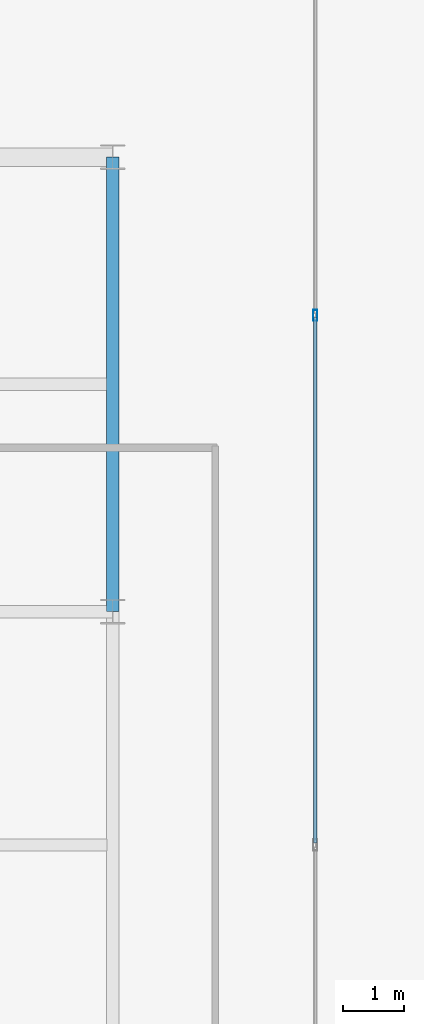
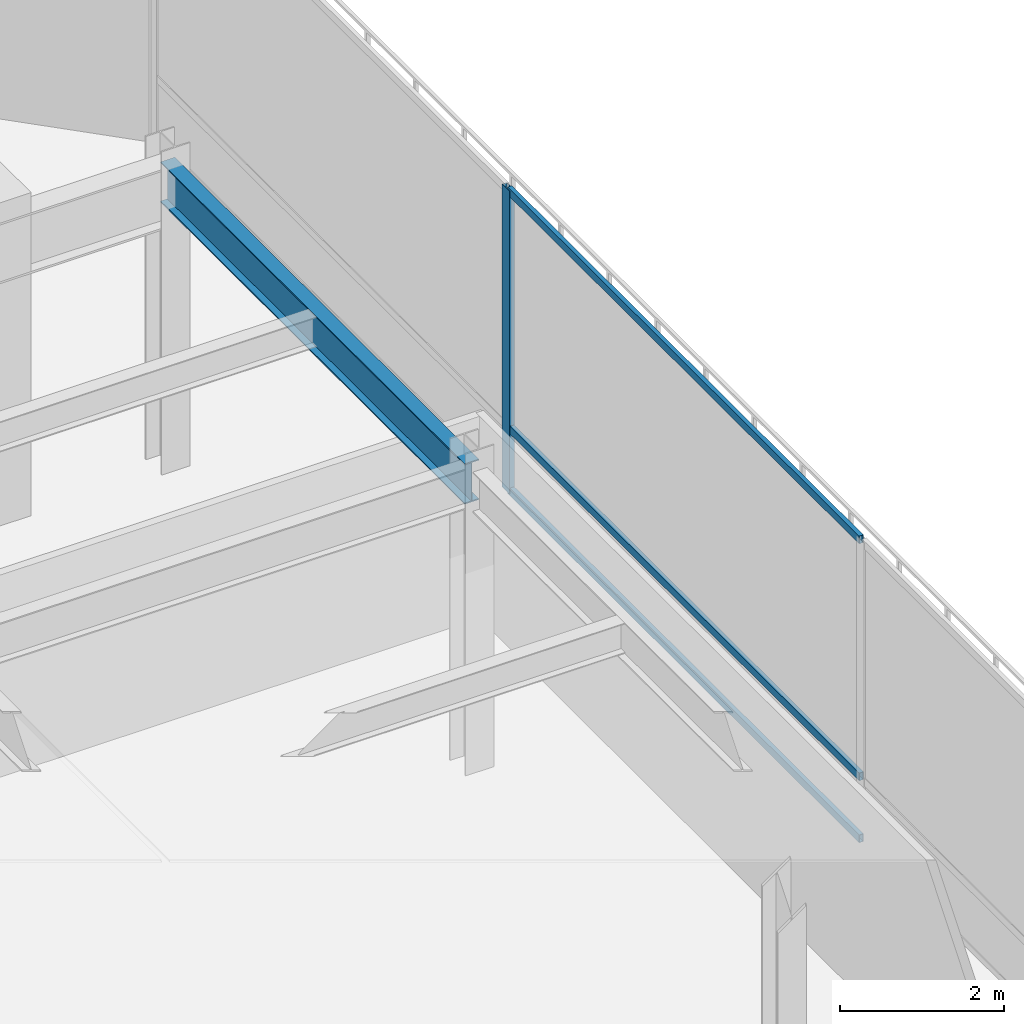
# One storey, part 23 of 39: 4 members, 1 beam, 1 element without a shape of its own.
"""IFC4 building model written with IfcOpenShell, lengths in metres."""

from ifc_helpers import new_model, si_unit, direction, frame, origin, origin_2d, place, context, subcontext, project, spatial, hollow_rectangle, i_section, extrude, material, layer, layer_set, material_profile, profile_set, type_object, element, aggregate, save


model = new_model("IFC4")

# Units and contexts
model_context = context("Model", 3, precision=1e-05, world=origin(), true_north=direction((0.0, 1.0)))
body_context = subcontext(model_context, "Body", "Model", "MODEL_VIEW")
ifc_project = project(units=[si_unit("LENGTHUNIT", "METRE"), si_unit("AREAUNIT", "SQUARE_METRE"), si_unit("VOLUMEUNIT", "CUBIC_METRE"), si_unit("PLANEANGLEUNIT", "RADIAN"), si_unit("MASSUNIT", "GRAM", prefix="KILO")], contexts=[model_context])

# Site, building, storey
site_placement = place(None, origin())
site = spatial("IfcSite", under=ifc_project, at=site_placement, CompositionType="ELEMENT")
building_placement = place(site_placement, origin())
building = spatial("IfcBuilding", under=site, at=building_placement, Name="Qianvela Tower", CompositionType="ELEMENT")
storey_placement = place(building_placement, frame((0.0, 0.0, 15.800048828125)))
storey = spatial("IfcBuildingStorey", under=building, at=storey_placement, Name="L03", CompositionType="ELEMENT", Elevation=15.800048828125)

# Beam
ifc_material_1 = material(Name="Steel Q355B", Category="steel")
ifc_material_profile_1 = material_profile(ifc_material_1, i_section(OverallWidth=0.199951171875, OverallDepth=0.60009765625, WebThickness=0.010986328125, FlangeThickness=0.01708984375, at=origin_2d()), Name="HN600x200x11x17")
ifc_profile_set_1 = profile_set([ifc_material_profile_1], Name="Steel Q355B")
beam_type = type_object("IfcBeamType", Name="BM-HN600-GIRD", PredefinedType="BEAM", material=ifc_profile_set_1)
beam_placement = place(storey_placement, frame((67.5, 29.800048828125, 4.197998046875), z_axis=(0.0, 1.0, 0.0), x_axis=(-1.0, 0.0, 0.0)))
element("IfcBeam", 1, at=beam_placement, inside=storey, type_object=beam_type, Name="L03 North-South Grid Girder 34", PredefinedType="BEAM", context=body_context, shape_type="SweptSolid", body=[
    extrude(i_section(OverallWidth=0.199951171875, OverallDepth=0.60009765625, WebThickness=0.010986328125, FlangeThickness=0.01708984375, at=origin_2d()), origin(), (0.0, 0.0, 1.0), 7.39990234375),
])

# Curtain wall, members
ifc_material_2 = material(Name="Anodised Architectural Aluminium and Low-E Glass", Category="aluminium")
ifc_layer = layer(ifc_material_2, 0.179931640625)
ifc_layer_set = layer_set([ifc_layer], Name="Anodised Architectural Aluminium and Low-E Glass")
curtain_wall_type = type_object("IfcCurtainWallType", Name="CW-COMMONS", PredefinedType="USERDEFINED", material=ifc_layer_set)
curtain_wall_placement = place(storey_placement, origin())
curtain_wall = element("IfcCurtainWall", 2, at=curtain_wall_placement, inside=storey, type_object=curtain_wall_type, Name="L03 CW-COMMONS Curtain Wall 03", ObjectType="CURTAIN_WALL_SYSTEM", PredefinedType="USERDEFINED")
ifc_material_3 = material(Name="Anodised Architectural Aluminium 6063-T6", Category="aluminium")
ifc_material_profile_2 = material_profile(ifc_material_3, hollow_rectangle(XDim=0.070068359375, YDim=0.179931640625, WallThickness=0.0048828125, at=origin_2d()), Name="ALU-MULL-70x180")
ifc_profile_set_2 = profile_set([ifc_material_profile_2], Name="Anodised Architectural Aluminium 6063-T6")
member_type_1 = type_object("IfcMemberType", Name="CW-COMMONS-MULL", PredefinedType="MULLION", material=ifc_profile_set_2)
member_1_placement = place(storey_placement, frame((70.800048828125, 34.625, 0.0), z_axis=(0.0, 0.0, 1.0), x_axis=(-1.0, 0.0, 0.0)))
member_1 = element("IfcMember", 3, at=member_1_placement, type_object=member_type_1, Name="CW-2 mullion 4", PredefinedType="MULLION", context=body_context, shape_type="SweptSolid", body=[
    extrude(hollow_rectangle(XDim=0.070068359375, YDim=0.179931640625, WallThickness=0.0048828125, at=origin_2d()), origin(), (0.0, 0.0, 1.0), 4.5),
])
ifc_material_4 = material(Name="Anodised Architectural Aluminium 6063-T6", Category="aluminium")
ifc_material_profile_3 = material_profile(ifc_material_4, hollow_rectangle(XDim=0.06005859375, YDim=0.114990234375, WallThickness=0.00390625, at=origin_2d()), Name="ALU-TRAN-60x115")
ifc_profile_set_3 = profile_set([ifc_material_profile_3], Name="Anodised Architectural Aluminium 6063-T6")
member_type_2 = type_object("IfcMemberType", Name="CW-COMMONS-TRAN", PredefinedType="USERDEFINED", material=ifc_profile_set_3)
member_2_placement = place(storey_placement, frame((70.800048828125, 26.034912109375, 0.030029296875), z_axis=(0.0, 1.0, 0.0), x_axis=(-1.0, 0.0, 0.0)))
member_2 = element("IfcMember", 4, at=member_2_placement, type_object=member_type_2, Name="CW-2 transom 3.1", ObjectType="TRANSOM", PredefinedType="USERDEFINED", context=body_context, shape_type="SweptSolid", body=[
    extrude(hollow_rectangle(XDim=0.06005859375, YDim=0.114990234375, WallThickness=0.00390625, at=origin_2d()), origin(), (0.0, 0.0, 1.0), 8.55517578125),
])
member_3_placement = place(storey_placement, frame((70.800048828125, 26.034912109375, 0.949951171875), z_axis=(0.0, 1.0, 0.0), x_axis=(-1.0, 0.0, 0.0)))
member_3 = element("IfcMember", 5, at=member_3_placement, type_object=member_type_2, Name="CW-2 transom 3.2", ObjectType="TRANSOM", PredefinedType="USERDEFINED", context=body_context, shape_type="SweptSolid", body=[
    extrude(hollow_rectangle(XDim=0.06005859375, YDim=0.114990234375, WallThickness=0.00390625, at=origin_2d()), origin(), (0.0, 0.0, 1.0), 8.55517578125),
])
member_4_placement = place(storey_placement, frame((70.800048828125, 26.034912109375, 4.469970703125), z_axis=(0.0, 1.0, 0.0), x_axis=(-1.0, 0.0, 0.0)))
member_4 = element("IfcMember", 6, at=member_4_placement, type_object=member_type_2, Name="CW-2 transom 3.3", ObjectType="TRANSOM", PredefinedType="USERDEFINED", context=body_context, shape_type="SweptSolid", body=[
    extrude(hollow_rectangle(XDim=0.06005859375, YDim=0.114990234375, WallThickness=0.00390625, at=origin_2d()), origin(), (0.0, 0.0, 1.0), 8.55517578125),
])
aggregate(curtain_wall, [member_1, member_2, member_3, member_4])

save(model, "model.ifc")
